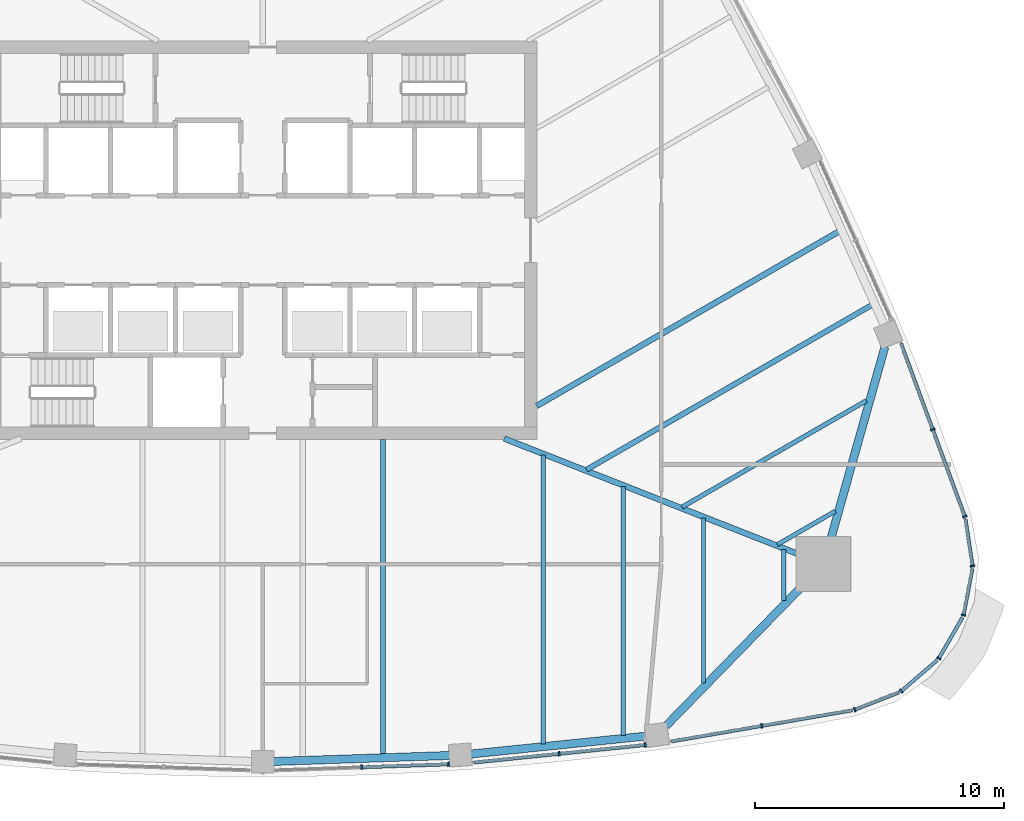
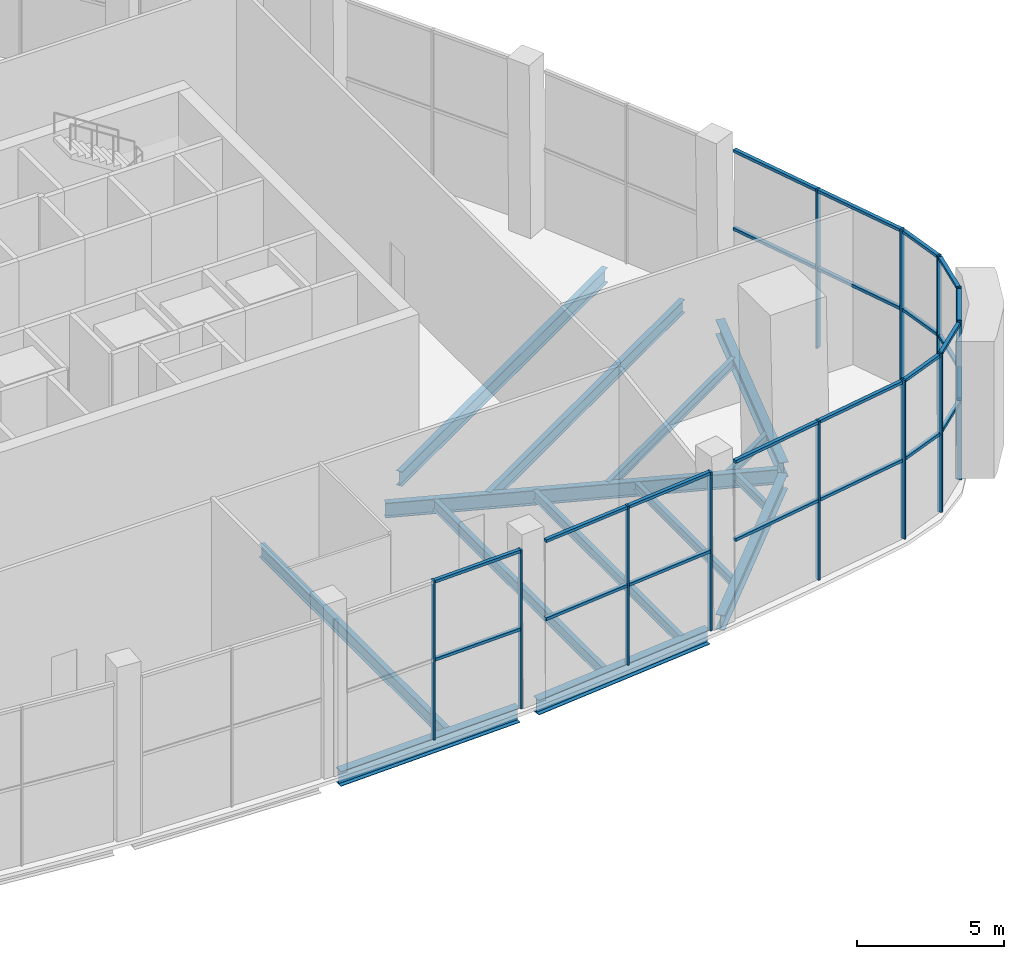
# One storey, part 4 of 15: 36 members, 14 beams, 9 elements without a shape of their own.
"""IFC4 building model written with IfcOpenShell, lengths in metres."""

from ifc_helpers import new_model, si_unit, direction, frame, origin, origin_2d, place, context, subcontext, project, spatial, rectangle, i_section, extrude, material, layer, layer_set, material_profile, profile_set, type_object, element, aggregate, save


model = new_model("IFC4")

# Units and contexts
model_context = context("Model", 3, precision=1e-05, world=origin(), true_north=direction((0.0, 1.0)))
body_context = subcontext(model_context, "Body", "Model", "MODEL_VIEW")
ifc_project = project(units=[si_unit("LENGTHUNIT", "METRE"), si_unit("AREAUNIT", "SQUARE_METRE"), si_unit("VOLUMEUNIT", "CUBIC_METRE"), si_unit("PLANEANGLEUNIT", "RADIAN"), si_unit("MASSUNIT", "GRAM", prefix="KILO")], contexts=[model_context])

# Site, building, storey
site_placement = place(None, origin())
site = spatial("IfcSite", under=ifc_project, at=site_placement, CompositionType="ELEMENT")
building_placement = place(site_placement, origin())
building = spatial("IfcBuilding", under=site, at=building_placement, Name="Sierra Prisma Convention Tower", CompositionType="ELEMENT")
storey_placement = place(building_placement, frame((0.0, 0.0, 219.800048828125)))
storey = spatial("IfcBuildingStorey", under=building, at=storey_placement, Name="L49", CompositionType="ELEMENT", Elevation=219.800048828125)

# Curtain wall, members
ifc_material_1 = material(Name="Aluminium and glass curtain wall", Category="aluminium")
ifc_layer = layer(ifc_material_1, 0.179931640625)
ifc_layer_set = layer_set([ifc_layer], Name="CW-4 Sky lobby double-height curtain wall")
curtain_wall_type = type_object("IfcCurtainWallType", Name="CW-4 Sky lobby double-height curtain wall", PredefinedType="NOTDEFINED", material=ifc_layer_set)
curtain_wall_1_placement = place(storey_placement, origin())
curtain_wall_1 = element("IfcCurtainWall", 1, at=curtain_wall_1_placement, inside=storey, type_object=curtain_wall_type, Name="CW-4 S4 L49", PredefinedType="NOTDEFINED")
ifc_material_2 = material(Name="Aluminium 6063-T6 bronze anodised", Category="aluminium")
ifc_material_profile_1 = material_profile(ifc_material_2, rectangle(XDim=0.179931640625, YDim=0.070068359375, at=origin_2d()), Name="ALU MULLION 70x180")
ifc_profile_set_1 = profile_set([ifc_material_profile_1], Name="Aluminium 6063-T6 bronze anodised")
member_type_1 = type_object("IfcMemberType", Name="CW mullion bronze", PredefinedType="MULLION", material=ifc_profile_set_1)
member_1_placement = place(storey_placement, frame((3.972900390625, -21.149169921875, 0.0), z_axis=(0.0, 0.0, 1.0), x_axis=(-0.03401680299, 0.999421261088, 0.0)))
member_1 = element("IfcMember", 2, at=member_1_placement, type_object=member_type_1, Name="CW-4 mullion S4.2", PredefinedType="MULLION", context=body_context, shape_type="SweptSolid", body=[
    extrude(rectangle(XDim=0.179931640625, YDim=0.070068359375, at=origin_2d()), origin(), (0.0, 0.0, 1.0), 6.599853515625),
])
member_2_placement = place(storey_placement, frame((7.461181640625, -21.0302734375, 0.0), z_axis=(0.0, 0.0, 1.0), x_axis=(-0.03401680299, 0.999421261088, 0.0)))
member_2 = element("IfcMember", 3, at=member_2_placement, type_object=member_type_1, Name="CW-4 mullion S4.3", PredefinedType="MULLION", context=body_context, shape_type="SweptSolid", body=[
    extrude(rectangle(XDim=0.179931640625, YDim=0.070068359375, at=origin_2d()), origin(), (0.0, 0.0, 1.0), 6.599853515625),
])

curtain_wall_2_placement = place(storey_placement, origin())
curtain_wall_2 = element("IfcCurtainWall", 4, at=curtain_wall_2_placement, inside=storey, type_object=curtain_wall_type, Name="CW-4 S5 L49", PredefinedType="NOTDEFINED")
member_3_placement = place(storey_placement, frame((11.89697265625, -20.60986328125, 0.0), z_axis=(0.0, 0.0, 1.0), x_axis=(-0.101892959781, 0.994795368278, 0.0)))
member_3 = element("IfcMember", 5, at=member_3_placement, type_object=member_type_1, Name="CW-4 mullion S5.2", PredefinedType="MULLION", context=body_context, shape_type="SweptSolid", body=[
    extrude(rectangle(XDim=0.179931640625, YDim=0.070068359375, at=origin_2d()), origin(), (0.0, 0.0, 1.0), 6.599853515625),
])
member_4_placement = place(storey_placement, frame((15.353271484375, -20.255859375, 0.0), z_axis=(0.0, 0.0, 1.0), x_axis=(-0.101892959781, 0.994795368278, 0.0)))
member_4 = element("IfcMember", 6, at=member_4_placement, type_object=member_type_1, Name="CW-4 mullion S5.3", PredefinedType="MULLION", context=body_context, shape_type="SweptSolid", body=[
    extrude(rectangle(XDim=0.179931640625, YDim=0.070068359375, at=origin_2d()), origin(), (0.0, 0.0, 1.0), 6.599853515625),
])

# Curtain wall, member
curtain_wall_3_placement = place(storey_placement, origin())
curtain_wall_3 = element("IfcCurtainWall", 7, at=curtain_wall_3_placement, inside=storey, type_object=curtain_wall_type, Name="CW-4 S6 L49", PredefinedType="NOTDEFINED")
member_5_placement = place(storey_placement, frame((20.025634765625, -19.489990234375, 0.0), z_axis=(0.0, 0.0, 1.0), x_axis=(-0.169297497717, 0.985564993933, 0.0)))
member_5 = element("IfcMember", 8, at=member_5_placement, type_object=member_type_1, Name="CW-4 mullion S6.2", PredefinedType="MULLION", context=body_context, shape_type="SweptSolid", body=[
    extrude(rectangle(XDim=0.179931640625, YDim=0.070068359375, at=origin_2d()), origin(), (0.0, 0.0, 1.0), 6.599853515625),
])

curtain_wall_4_placement = place(storey_placement, origin())
curtain_wall_4 = element("IfcCurtainWall", 9, at=curtain_wall_4_placement, inside=storey, type_object=curtain_wall_type, Name="CW-4 SE1 L49", PredefinedType="NOTDEFINED")
member_6_placement = place(storey_placement, frame((23.760498046875, -18.84130859375, 0.0), z_axis=(0.0, 0.0, 1.0), x_axis=(-0.364179517701, 0.931328770568, 0.0)))
member_6 = element("IfcMember", 10, at=member_6_placement, type_object=member_type_1, Name="CW-4 mullion SE1.1", PredefinedType="MULLION", context=body_context, shape_type="SweptSolid", body=[
    extrude(rectangle(XDim=0.179931640625, YDim=0.070068359375, at=origin_2d()), origin(), (0.0, 0.0, 1.0), 6.599853515625),
])

curtain_wall_5_placement = place(storey_placement, origin())
curtain_wall_5 = element("IfcCurtainWall", 11, at=curtain_wall_5_placement, inside=storey, type_object=curtain_wall_type, Name="CW-4 SE2 L49", PredefinedType="NOTDEFINED")
member_7_placement = place(storey_placement, frame((25.623046875, -18.100341796875, 0.0), z_axis=(0.0, 0.0, 1.0), x_axis=(-0.651814516792, 0.758378425128, 0.0)))
member_7 = element("IfcMember", 12, at=member_7_placement, type_object=member_type_1, Name="CW-4 mullion SE2.1", PredefinedType="MULLION", context=body_context, shape_type="SweptSolid", body=[
    extrude(rectangle(XDim=0.179931640625, YDim=0.070068359375, at=origin_2d()), origin(), (0.0, 0.0, 1.0), 6.599853515625),
])

curtain_wall_6_placement = place(storey_placement, origin())
curtain_wall_6 = element("IfcCurtainWall", 13, at=curtain_wall_6_placement, inside=storey, type_object=curtain_wall_type, Name="CW-4 SE3 L49", PredefinedType="NOTDEFINED")
member_8_placement = place(storey_placement, frame((27.1357421875, -16.784912109375, 0.0), z_axis=(0.0, 0.0, 1.0), x_axis=(-0.866025403784, 0.5, 0.0)))
member_8 = element("IfcMember", 14, at=member_8_placement, type_object=member_type_1, Name="CW-4 mullion SE3.1", PredefinedType="MULLION", context=body_context, shape_type="SweptSolid", body=[
    extrude(rectangle(XDim=0.179931640625, YDim=0.070068359375, at=origin_2d()), origin(), (0.0, 0.0, 1.0), 6.599853515625),
])

curtain_wall_7_placement = place(storey_placement, origin())
curtain_wall_7 = element("IfcCurtainWall", 15, at=curtain_wall_7_placement, inside=storey, type_object=curtain_wall_type, Name="CW-4 SE4 L49", PredefinedType="NOTDEFINED")
member_9_placement = place(storey_placement, frame((28.128173828125, -15.043212890625, 0.0), z_axis=(0.0, 0.0, 1.0), x_axis=(-0.982682240239, 0.185298717533, 0.0)))
member_9 = element("IfcMember", 16, at=member_9_placement, type_object=member_type_1, Name="CW-4 mullion SE4.1", PredefinedType="MULLION", context=body_context, shape_type="SweptSolid", body=[
    extrude(rectangle(XDim=0.179931640625, YDim=0.070068359375, at=origin_2d()), origin(), (0.0, 0.0, 1.0), 6.599853515625),
])

curtain_wall_8_placement = place(storey_placement, origin())
curtain_wall_8 = element("IfcCurtainWall", 17, at=curtain_wall_8_placement, inside=storey, type_object=curtain_wall_type, Name="CW-4 SE5 L49", PredefinedType="NOTDEFINED")
member_10_placement = place(storey_placement, frame((28.48828125, -13.071044921875, 0.0), z_axis=(0.0, 0.0, 1.0), x_axis=(-0.988644133437, -0.150275671417, 0.0)))
member_10 = element("IfcMember", 18, at=member_10_placement, type_object=member_type_1, Name="CW-4 mullion SE5.1", PredefinedType="MULLION", context=body_context, shape_type="SweptSolid", body=[
    extrude(rectangle(XDim=0.179931640625, YDim=0.070068359375, at=origin_2d()), origin(), (0.0, 0.0, 1.0), 6.599853515625),
])

# Curtain wall, members
curtain_wall_9_placement = place(storey_placement, origin())
curtain_wall_9 = element("IfcCurtainWall", 19, at=curtain_wall_9_placement, inside=storey, type_object=curtain_wall_type, Name="CW-4 NE1 L49", PredefinedType="NOTDEFINED")
member_11_placement = place(storey_placement, frame((28.1796875, -11.089111328125, 0.0), z_axis=(0.0, 0.0, 1.0), x_axis=(-0.938173070685, -0.346166563147, 0.0)))
member_11 = element("IfcMember", 20, at=member_11_placement, type_object=member_type_1, Name="CW-4 mullion NE1.1", PredefinedType="MULLION", context=body_context, shape_type="SweptSolid", body=[
    extrude(rectangle(XDim=0.179931640625, YDim=0.070068359375, at=origin_2d()), origin(), (0.0, 0.0, 1.0), 6.599853515625),
])
member_12_placement = place(storey_placement, frame((26.8916015625, -7.59765625, 0.0), z_axis=(0.0, 0.0, 1.0), x_axis=(-0.938173070685, -0.346166563147, 0.0)))
member_12 = element("IfcMember", 21, at=member_12_placement, type_object=member_type_1, Name="CW-4 mullion NE1.2", PredefinedType="MULLION", context=body_context, shape_type="SweptSolid", body=[
    extrude(rectangle(XDim=0.179931640625, YDim=0.070068359375, at=origin_2d()), origin(), (0.0, 0.0, 1.0), 6.599853515625),
])

# Member
ifc_material_3 = material(Name="Aluminium 6063-T6 bronze anodised", Category="aluminium")
ifc_material_profile_2 = material_profile(ifc_material_3, rectangle(XDim=0.139892578125, YDim=0.1201171875, at=origin_2d()), Name="ALU TRANSOM 120x140")
ifc_profile_set_2 = profile_set([ifc_material_profile_2], Name="Aluminium 6063-T6 bronze anodised")
member_type_2 = type_object("IfcMemberType", Name="CW transom bronze", PredefinedType="USERDEFINED", material=ifc_profile_set_2)
member_13_placement = place(storey_placement, frame((4.008056640625, -21.14794921875, 6.5400390625), z_axis=(0.999420156505, 0.034049240387, 0.0), x_axis=(-0.034049240387, 0.999420156505, 0.0)))
member_13 = element("IfcMember", 22, at=member_13_placement, type_object=member_type_2, Name="CW-4 transom S4.2", ObjectType="TRANSOM", PredefinedType="USERDEFINED", context=body_context, shape_type="SweptSolid", body=[
    extrude(rectangle(XDim=0.139892578125, YDim=0.1201171875, at=origin_2d()), origin(), (0.0, 0.0, 1.0), 3.420166015625),
])

member_14_placement = place(storey_placement, frame((4.008056640625, -21.14794921875, 3.300048828125), z_axis=(0.999420156505, 0.034049240387, 0.0), x_axis=(-0.034049240387, 0.999420156505, 0.0)))
member_14 = element("IfcMember", 23, at=member_14_placement, type_object=member_type_2, Name="CW-4 transom S4.2 mid", ObjectType="TRANSOM", PredefinedType="USERDEFINED", context=body_context, shape_type="SweptSolid", body=[
    extrude(rectangle(XDim=0.139892578125, YDim=0.1201171875, at=origin_2d()), origin(), (0.0, 0.0, 1.0), 3.420166015625),
])

aggregate(curtain_wall_1, [member_1, member_2, member_13, member_14])

member_15_placement = place(storey_placement, frame((8.4755859375, -20.96044921875, 6.5400390625), z_axis=(0.994794308124, 0.101903309677, 0.0), x_axis=(-0.101903309677, 0.994794308124, 0.0)))
member_15 = element("IfcMember", 24, at=member_15_placement, type_object=member_type_2, Name="CW-4 transom S5.1", ObjectType="TRANSOM", PredefinedType="USERDEFINED", context=body_context, shape_type="SweptSolid", body=[
    extrude(rectangle(XDim=0.139892578125, YDim=0.1201171875, at=origin_2d()), origin(), (0.0, 0.0, 1.0), 3.404541015625),
])

member_16_placement = place(storey_placement, frame((8.4755859375, -20.96044921875, 3.300048828125), z_axis=(0.994794308124, 0.101903309677, 0.0), x_axis=(-0.101903309677, 0.994794308124, 0.0)))
member_16 = element("IfcMember", 25, at=member_16_placement, type_object=member_type_2, Name="CW-4 transom S5.1 mid", ObjectType="TRANSOM", PredefinedType="USERDEFINED", context=body_context, shape_type="SweptSolid", body=[
    extrude(rectangle(XDim=0.139892578125, YDim=0.1201171875, at=origin_2d()), origin(), (0.0, 0.0, 1.0), 3.404541015625),
])

member_17_placement = place(storey_placement, frame((11.931884765625, -20.6064453125, 6.5400390625), z_axis=(0.994794308124, 0.101903309677, 0.0), x_axis=(-0.101903309677, 0.994794308124, 0.0)))
member_17 = element("IfcMember", 26, at=member_17_placement, type_object=member_type_2, Name="CW-4 transom S5.2", ObjectType="TRANSOM", PredefinedType="USERDEFINED", context=body_context, shape_type="SweptSolid", body=[
    extrude(rectangle(XDim=0.139892578125, YDim=0.1201171875, at=origin_2d()), origin(), (0.0, 0.0, 1.0), 3.404541015625),
])

member_18_placement = place(storey_placement, frame((11.931884765625, -20.6064453125, 3.300048828125), z_axis=(0.994794308124, 0.101903309677, 0.0), x_axis=(-0.101903309677, 0.994794308124, 0.0)))
member_18 = element("IfcMember", 27, at=member_18_placement, type_object=member_type_2, Name="CW-4 transom S5.2 mid", ObjectType="TRANSOM", PredefinedType="USERDEFINED", context=body_context, shape_type="SweptSolid", body=[
    extrude(rectangle(XDim=0.139892578125, YDim=0.1201171875, at=origin_2d()), origin(), (0.0, 0.0, 1.0), 3.404541015625),
])

aggregate(curtain_wall_2, [member_3, member_4, member_15, member_16, member_17, member_18])

member_19_placement = place(storey_placement, frame((16.392333984375, -20.114013671875, 6.5400390625), z_axis=(0.98556493226, 0.169297856749, 0.0), x_axis=(-0.169297856749, 0.98556493226, 0.0)))
member_19 = element("IfcMember", 28, at=member_19_placement, type_object=member_type_2, Name="CW-4 transom S6.1", ObjectType="TRANSOM", PredefinedType="USERDEFINED", context=body_context, shape_type="SweptSolid", body=[
    extrude(rectangle(XDim=0.139892578125, YDim=0.1201171875, at=origin_2d()), origin(), (0.0, 0.0, 1.0), 3.6513671875),
])

member_20_placement = place(storey_placement, frame((16.392333984375, -20.114013671875, 3.300048828125), z_axis=(0.98556493226, 0.169297856749, 0.0), x_axis=(-0.169297856749, 0.98556493226, 0.0)))
member_20 = element("IfcMember", 29, at=member_20_placement, type_object=member_type_2, Name="CW-4 transom S6.1 mid", ObjectType="TRANSOM", PredefinedType="USERDEFINED", context=body_context, shape_type="SweptSolid", body=[
    extrude(rectangle(XDim=0.139892578125, YDim=0.1201171875, at=origin_2d()), origin(), (0.0, 0.0, 1.0), 3.6513671875),
])

member_21_placement = place(storey_placement, frame((20.06005859375, -19.48388671875, 6.5400390625), z_axis=(0.98556684849, 0.169286701064, 0.0), x_axis=(-0.169286701064, 0.98556684849, 0.0)))
member_21 = element("IfcMember", 30, at=member_21_placement, type_object=member_type_2, Name="CW-4 transom S6.2", ObjectType="TRANSOM", PredefinedType="USERDEFINED", context=body_context, shape_type="SweptSolid", body=[
    extrude(rectangle(XDim=0.139892578125, YDim=0.1201171875, at=origin_2d()), origin(), (0.0, 0.0, 1.0), 3.651611328125),
])

member_22_placement = place(storey_placement, frame((20.06005859375, -19.48388671875, 3.300048828125), z_axis=(0.98556684849, 0.169286701064, 0.0), x_axis=(-0.169286701064, 0.98556684849, 0.0)))
member_22 = element("IfcMember", 31, at=member_22_placement, type_object=member_type_2, Name="CW-4 transom S6.2 mid", ObjectType="TRANSOM", PredefinedType="USERDEFINED", context=body_context, shape_type="SweptSolid", body=[
    extrude(rectangle(XDim=0.139892578125, YDim=0.1201171875, at=origin_2d()), origin(), (0.0, 0.0, 1.0), 3.651611328125),
])

aggregate(curtain_wall_3, [member_5, member_19, member_20, member_21, member_22])

member_23_placement = place(storey_placement, frame((23.79296875, -18.828369140625, 6.5400390625), z_axis=(0.931352729191, 0.364118241549, 0.0), x_axis=(-0.364118241549, 0.931352729191, 0.0)))
member_23 = element("IfcMember", 32, at=member_23_placement, type_object=member_type_2, Name="CW-4 transom SE1.1", ObjectType="TRANSOM", PredefinedType="USERDEFINED", context=body_context, shape_type="SweptSolid", body=[
    extrude(rectangle(XDim=0.139892578125, YDim=0.1201171875, at=origin_2d()), origin(), (0.0, 0.0, 1.0), 1.86669921875),
])

member_24_placement = place(storey_placement, frame((23.79296875, -18.828369140625, 3.300048828125), z_axis=(0.931352729191, 0.364118241549, 0.0), x_axis=(-0.364118241549, 0.931352729191, 0.0)))
member_24 = element("IfcMember", 33, at=member_24_placement, type_object=member_type_2, Name="CW-4 transom SE1.1 mid", ObjectType="TRANSOM", PredefinedType="USERDEFINED", context=body_context, shape_type="SweptSolid", body=[
    extrude(rectangle(XDim=0.139892578125, YDim=0.1201171875, at=origin_2d()), origin(), (0.0, 0.0, 1.0), 1.86669921875),
])

aggregate(curtain_wall_4, [member_6, member_23, member_24])

member_25_placement = place(storey_placement, frame((25.649658203125, -18.07763671875, 6.5400390625), z_axis=(0.75833259999, 0.651867830002, 0.0), x_axis=(-0.651867830002, 0.75833259999, 0.0)))
member_25 = element("IfcMember", 34, at=member_25_placement, type_object=member_type_2, Name="CW-4 transom SE2.1", ObjectType="TRANSOM", PredefinedType="USERDEFINED", context=body_context, shape_type="SweptSolid", body=[
    extrude(rectangle(XDim=0.139892578125, YDim=0.1201171875, at=origin_2d()), origin(), (0.0, 0.0, 1.0), 1.86669921875),
])

member_26_placement = place(storey_placement, frame((25.649658203125, -18.07763671875, 3.300048828125), z_axis=(0.75833259999, 0.651867830002, 0.0), x_axis=(-0.651867830002, 0.75833259999, 0.0)))
member_26 = element("IfcMember", 35, at=member_26_placement, type_object=member_type_2, Name="CW-4 transom SE2.1 mid", ObjectType="TRANSOM", PredefinedType="USERDEFINED", context=body_context, shape_type="SweptSolid", body=[
    extrude(rectangle(XDim=0.139892578125, YDim=0.1201171875, at=origin_2d()), origin(), (0.0, 0.0, 1.0), 1.86669921875),
])

aggregate(curtain_wall_5, [member_7, member_25, member_26])

member_27_placement = place(storey_placement, frame((27.1533203125, -16.754638671875, 6.5400390625), z_axis=(0.500035694089, 0.866004794812, 0.0), x_axis=(-0.866004794812, 0.500035694089, 0.0)))
member_27 = element("IfcMember", 36, at=member_27_placement, type_object=member_type_2, Name="CW-4 transom SE3.1", ObjectType="TRANSOM", PredefinedType="USERDEFINED", context=body_context, shape_type="SweptSolid", body=[
    extrude(rectangle(XDim=0.139892578125, YDim=0.1201171875, at=origin_2d()), origin(), (0.0, 0.0, 1.0), 1.866455078125),
])

member_28_placement = place(storey_placement, frame((27.1533203125, -16.754638671875, 3.300048828125), z_axis=(0.500035694089, 0.866004794812, 0.0), x_axis=(-0.866004794812, 0.500035694089, 0.0)))
member_28 = element("IfcMember", 37, at=member_28_placement, type_object=member_type_2, Name="CW-4 transom SE3.1 mid", ObjectType="TRANSOM", PredefinedType="USERDEFINED", context=body_context, shape_type="SweptSolid", body=[
    extrude(rectangle(XDim=0.139892578125, YDim=0.1201171875, at=origin_2d()), origin(), (0.0, 0.0, 1.0), 1.866455078125),
])

aggregate(curtain_wall_6, [member_8, member_27, member_28])

member_29_placement = place(storey_placement, frame((28.134521484375, -15.0087890625, 6.5400390625), z_axis=(0.185338751025, 0.98267469051, 0.0), x_axis=(-0.98267469051, 0.185338751025, 0.0)))
member_29 = element("IfcMember", 38, at=member_29_placement, type_object=member_type_2, Name="CW-4 transom SE4.1", ObjectType="TRANSOM", PredefinedType="USERDEFINED", context=body_context, shape_type="SweptSolid", body=[
    extrude(rectangle(XDim=0.139892578125, YDim=0.1201171875, at=origin_2d()), origin(), (0.0, 0.0, 1.0), 1.866455078125),
])

member_30_placement = place(storey_placement, frame((28.134521484375, -15.0087890625, 3.300048828125), z_axis=(0.185338751025, 0.98267469051, 0.0), x_axis=(-0.98267469051, 0.185338751025, 0.0)))
member_30 = element("IfcMember", 39, at=member_30_placement, type_object=member_type_2, Name="CW-4 transom SE4.1 mid", ObjectType="TRANSOM", PredefinedType="USERDEFINED", context=body_context, shape_type="SweptSolid", body=[
    extrude(rectangle(XDim=0.139892578125, YDim=0.1201171875, at=origin_2d()), origin(), (0.0, 0.0, 1.0), 1.866455078125),
])

aggregate(curtain_wall_7, [member_9, member_29, member_30])

member_31_placement = place(storey_placement, frame((28.48291015625, -13.03662109375, 6.5400390625), z_axis=(-0.150278038873, 0.988643773577, 0.0), x_axis=(-0.988643773577, -0.150278038873, 0.0)))
member_31 = element("IfcMember", 40, at=member_31_placement, type_object=member_type_2, Name="CW-4 transom SE5.1", ObjectType="TRANSOM", PredefinedType="USERDEFINED", context=body_context, shape_type="SweptSolid", body=[
    extrude(rectangle(XDim=0.139892578125, YDim=0.1201171875, at=origin_2d()), origin(), (0.0, 0.0, 1.0), 1.86669921875),
])

member_32_placement = place(storey_placement, frame((28.48291015625, -13.03662109375, 3.300048828125), z_axis=(-0.150278038873, 0.988643773577, 0.0), x_axis=(-0.988643773577, -0.150278038873, 0.0)))
member_32 = element("IfcMember", 41, at=member_32_placement, type_object=member_type_2, Name="CW-4 transom SE5.1 mid", ObjectType="TRANSOM", PredefinedType="USERDEFINED", context=body_context, shape_type="SweptSolid", body=[
    extrude(rectangle(XDim=0.139892578125, YDim=0.1201171875, at=origin_2d()), origin(), (0.0, 0.0, 1.0), 1.86669921875),
])

aggregate(curtain_wall_8, [member_10, member_31, member_32])

member_33_placement = place(storey_placement, frame((28.167724609375, -11.05615234375, 6.5400390625), z_axis=(-0.34621656477, 0.938154619601, 0.0), x_axis=(-0.938154619601, -0.34621656477, 0.0)))
member_33 = element("IfcMember", 42, at=member_33_placement, type_object=member_type_2, Name="CW-4 transom NE1.1", ObjectType="TRANSOM", PredefinedType="USERDEFINED", context=body_context, shape_type="SweptSolid", body=[
    extrude(rectangle(XDim=0.139892578125, YDim=0.1201171875, at=origin_2d()), origin(), (0.0, 0.0, 1.0), 3.6513671875),
])

member_34_placement = place(storey_placement, frame((28.167724609375, -11.05615234375, 3.300048828125), z_axis=(-0.34621656477, 0.938154619601, 0.0), x_axis=(-0.938154619601, -0.34621656477, 0.0)))
member_34 = element("IfcMember", 43, at=member_34_placement, type_object=member_type_2, Name="CW-4 transom NE1.1 mid", ObjectType="TRANSOM", PredefinedType="USERDEFINED", context=body_context, shape_type="SweptSolid", body=[
    extrude(rectangle(XDim=0.139892578125, YDim=0.1201171875, at=origin_2d()), origin(), (0.0, 0.0, 1.0), 3.6513671875),
])

member_35_placement = place(storey_placement, frame((26.87939453125, -7.56494140625, 6.5400390625), z_axis=(-0.346136000874, 0.93818434697, 0.0), x_axis=(-0.93818434697, -0.346136000874, 0.0)))
member_35 = element("IfcMember", 44, at=member_35_placement, type_object=member_type_2, Name="CW-4 transom NE1.2", ObjectType="TRANSOM", PredefinedType="USERDEFINED", context=body_context, shape_type="SweptSolid", body=[
    extrude(rectangle(XDim=0.139892578125, YDim=0.1201171875, at=origin_2d()), origin(), (0.0, 0.0, 1.0), 3.651611328125),
])

member_36_placement = place(storey_placement, frame((26.87939453125, -7.56494140625, 3.300048828125), z_axis=(-0.346136000874, 0.93818434697, 0.0), x_axis=(-0.93818434697, -0.346136000874, 0.0)))
member_36 = element("IfcMember", 45, at=member_36_placement, type_object=member_type_2, Name="CW-4 transom NE1.2 mid", ObjectType="TRANSOM", PredefinedType="USERDEFINED", context=body_context, shape_type="SweptSolid", body=[
    extrude(rectangle(XDim=0.139892578125, YDim=0.1201171875, at=origin_2d()), origin(), (0.0, 0.0, 1.0), 3.651611328125),
])

aggregate(curtain_wall_9, [member_11, member_12, member_33, member_34, member_35, member_36])

# Beams
ifc_material_4 = material(Name="Steel ASTM A992 Gr 50", Category="steel")
ifc_material_profile_3 = material_profile(ifc_material_4, i_section(OverallWidth=0.172119140625, OverallDepth=0.35791015625, WebThickness=0.0078125, FlangeThickness=0.01318359375, at=origin_2d()), Name="W360x57")
ifc_profile_set_3 = profile_set([ifc_material_profile_3], Name="Steel ASTM A992 Gr 50")
beam_type_1 = type_object("IfcBeamType", Name="Floor joist W360x57", PredefinedType="JOIST", material=ifc_profile_set_3)
beam_1_placement = place(storey_placement, frame((17.69091796875, -17.765869140625, -0.3291015625), z_axis=(0.0, 1.0, 0.0), x_axis=(-1.0, 0.0, 0.0)))
element("IfcBeam", 46, at=beam_1_placement, inside=storey, type_object=beam_type_1, Name="Floor joist L49 S13", PredefinedType="JOIST", context=body_context, shape_type="SweptSolid", body=[
    extrude(i_section(OverallWidth=0.172119140625, OverallDepth=0.35791015625, WebThickness=0.0078125, FlangeThickness=0.01318359375, at=origin_2d()), origin(), (0.0, 0.0, 1.0), 6.614013671875),
])
beam_2_placement = place(storey_placement, frame((20.907470703125, -14.466552734375, -0.3291015625), z_axis=(0.0, 1.0, 0.0), x_axis=(-1.0, 0.0, 0.0)))
element("IfcBeam", 47, at=beam_2_placement, inside=storey, type_object=beam_type_1, Name="Floor joist L49 S14", PredefinedType="JOIST", context=body_context, shape_type="SweptSolid", body=[
    extrude(i_section(OverallWidth=0.172119140625, OverallDepth=0.35791015625, WebThickness=0.0078125, FlangeThickness=0.01318359375, at=origin_2d()), origin(), (0.0, 0.0, 1.0), 2.050048828125),
])
beam_3_placement = place(storey_placement, frame((22.982177734375, -10.873291015625, -0.3291015625), z_axis=(-0.866038935671, -0.499976561352, 0.0), x_axis=(0.499976561352, -0.866038935671, 0.0)))
element("IfcBeam", 48, at=beam_3_placement, inside=storey, type_object=beam_type_1, Name="Floor joist L49 NE01", PredefinedType="JOIST", context=body_context, shape_type="SweptSolid", body=[
    extrude(i_section(OverallWidth=0.172119140625, OverallDepth=0.35791015625, WebThickness=0.0078125, FlangeThickness=0.01318359375, at=origin_2d()), origin(), (0.0, 0.0, 1.0), 2.689208984375),
])
ifc_material_5 = material(Name="Steel ASTM A992 Gr 50", Category="steel")
ifc_material_profile_4 = material_profile(ifc_material_5, i_section(OverallWidth=0.177978515625, OverallDepth=0.406982421875, WebThickness=0.0078125, FlangeThickness=0.0126953125, at=origin_2d()), Name="W410x60")
ifc_profile_set_4 = profile_set([ifc_material_profile_4], Name="Steel ASTM A992 Gr 50")
beam_type_2 = type_object("IfcBeamType", Name="Floor joist W410x60", PredefinedType="JOIST", material=ifc_profile_set_4)
beam_4_placement = place(storey_placement, frame((14.474365234375, -19.881103515625, -0.353515625), z_axis=(0.0, 1.0, 0.0), x_axis=(-1.0, 0.0, 0.0)))
element("IfcBeam", 49, at=beam_4_placement, inside=storey, type_object=beam_type_2, Name="Floor joist L49 S12", PredefinedType="JOIST", context=body_context, shape_type="SweptSolid", body=[
    extrude(i_section(OverallWidth=0.177978515625, OverallDepth=0.406982421875, WebThickness=0.0078125, FlangeThickness=0.0126953125, at=origin_2d()), origin(), (0.0, 0.0, 1.0), 9.993896484375),
])
beam_5_placement = place(storey_placement, frame((24.231201171875, -6.43798828125, -0.353515625), z_axis=(-0.866025820012, -0.499999279071, 0.0), x_axis=(0.499999279071, -0.866025820012, 0.0)))
element("IfcBeam", 50, at=beam_5_placement, inside=storey, type_object=beam_type_2, Name="Floor joist L49 NE02", PredefinedType="JOIST", context=body_context, shape_type="SweptSolid", body=[
    extrude(i_section(OverallWidth=0.177978515625, OverallDepth=0.406982421875, WebThickness=0.0078125, FlangeThickness=0.0126953125, at=origin_2d()), origin(), (0.0, 0.0, 1.0), 8.55029296875),
])
ifc_material_6 = material(Name="Steel ASTM A992 Gr 50", Category="steel")
ifc_material_profile_5 = material_profile(ifc_material_6, i_section(OverallWidth=0.18994140625, OverallDepth=0.45703125, WebThickness=0.009033203125, FlangeThickness=0.014404296875, at=origin_2d()), Name="W460x74")
ifc_profile_set_5 = profile_set([ifc_material_profile_5], Name="Steel ASTM A992 Gr 50")
beam_type_3 = type_object("IfcBeamType", Name="Floor joist W460x74", PredefinedType="JOIST", material=ifc_profile_set_5)
beam_6_placement = place(storey_placement, frame((11.2578125, -20.21044921875, -0.378662109375), z_axis=(0.0, 1.0, 0.0), x_axis=(-1.0, 0.0, 0.0)))
element("IfcBeam", 51, at=beam_6_placement, inside=storey, type_object=beam_type_3, Name="Floor joist L49 S11", PredefinedType="JOIST", context=body_context, shape_type="SweptSolid", body=[
    extrude(i_section(OverallWidth=0.18994140625, OverallDepth=0.45703125, WebThickness=0.009033203125, FlangeThickness=0.014404296875, at=origin_2d()), origin(), (0.0, 0.0, 1.0), 11.587890625),
])
ifc_material_7 = material(Name="Steel ASTM A992 Gr 50", Category="steel")
ifc_material_profile_6 = material_profile(ifc_material_7, i_section(OverallWidth=0.208984375, OverallDepth=0.532958984375, WebThickness=0.01025390625, FlangeThickness=0.015625, at=origin_2d()), Name="W530x92")
ifc_profile_set_6 = profile_set([ifc_material_profile_6], Name="Steel ASTM A992 Gr 50")
beam_type_4 = type_object("IfcBeamType", Name="Floor joist W530x92", PredefinedType="JOIST", material=ifc_profile_set_6)
beam_7_placement = place(storey_placement, frame((4.82470703125, -20.657470703125, -0.41650390625), z_axis=(0.0, 1.0, 0.0), x_axis=(-1.0, 0.0, 0.0)))
element("IfcBeam", 52, at=beam_7_placement, inside=storey, type_object=beam_type_4, Name="Floor joist L49 S09", PredefinedType="JOIST", context=body_context, shape_type="SweptSolid", body=[
    extrude(i_section(OverallWidth=0.208984375, OverallDepth=0.532958984375, WebThickness=0.01025390625, FlangeThickness=0.015625, at=origin_2d()), origin(), (0.0, 0.0, 1.0), 12.657470703125),
])
beam_8_placement = place(storey_placement, frame((24.45458984375, -2.5947265625, -0.41650390625), z_axis=(-0.86602422079, -0.500002049001, 0.0), x_axis=(0.500002049001, -0.86602422079, 0.0)))
element("IfcBeam", 53, at=beam_8_placement, inside=storey, type_object=beam_type_4, Name="Floor joist L49 NE03", PredefinedType="JOIST", context=body_context, shape_type="SweptSolid", body=[
    extrude(i_section(OverallWidth=0.208984375, OverallDepth=0.532958984375, WebThickness=0.01025390625, FlangeThickness=0.015625, at=origin_2d()), origin(), (0.0, 0.0, 1.0), 13.2275390625),
])
ifc_material_8 = material(Name="Steel ASTM A992 Gr 50", Category="steel")
ifc_material_profile_7 = material_profile(ifc_material_8, i_section(OverallWidth=0.22802734375, OverallDepth=0.60302734375, WebThickness=0.010498046875, FlangeThickness=0.014892578125, at=origin_2d()), Name="W610x101")
ifc_profile_set_7 = profile_set([ifc_material_profile_7], Name="Steel ASTM A992 Gr 50")
beam_type_5 = type_object("IfcBeamType", Name="Floor joist W610x101", PredefinedType="JOIST", material=ifc_profile_set_7)
beam_9_placement = place(storey_placement, frame((23.131591796875, 0.35546875, -0.45166015625), z_axis=(-0.866026250715, -0.49999853307, 0.0), x_axis=(0.49999853307, -0.866026250715, 0.0)))
element("IfcBeam", 54, at=beam_9_placement, inside=storey, type_object=beam_type_5, Name="Floor joist L49 NE04", PredefinedType="JOIST", context=body_context, shape_type="SweptSolid", body=[
    extrude(i_section(OverallWidth=0.22802734375, OverallDepth=0.60302734375, WebThickness=0.010498046875, FlangeThickness=0.014892578125, at=origin_2d()), origin(), (0.0, 0.0, 1.0), 14.00830078125),
])
ifc_material_9 = material(Name="Steel ASTM A992 Gr 50", Category="steel")
ifc_material_profile_8 = material_profile(ifc_material_9, i_section(OverallWidth=0.22998046875, OverallDepth=0.616943359375, WebThickness=0.01318359375, FlangeThickness=0.022216796875, at=origin_2d()), Name="W610x140")
ifc_profile_set_8 = profile_set([ifc_material_profile_8], Name="Steel ASTM A992 Gr 50")
beam_type_6 = type_object("IfcBeamType", Name="Radial girder W610x140", PredefinedType="BEAM", material=ifc_profile_set_8)
beam_10_placement = place(storey_placement, frame((22.255859375, -12.897216796875, -0.45849609375), z_axis=(-0.930653673639, 0.365901270485, 0.0), x_axis=(-0.365901270485, -0.930653673639, 0.0)))
element("IfcBeam", 55, at=beam_10_placement, inside=storey, type_object=beam_type_6, Name="Radial girder L49 SE", PredefinedType="BEAM", context=body_context, shape_type="SweptSolid", body=[
    extrude(i_section(OverallWidth=0.22998046875, OverallDepth=0.616943359375, WebThickness=0.01318359375, FlangeThickness=0.022216796875, at=origin_2d()), origin(), (0.0, 0.0, 1.0), 13.504150390625),
])
ifc_material_10 = material(Name="Steel ASTM A992 Gr 50", Category="steel")
ifc_material_profile_9 = material_profile(ifc_material_10, i_section(OverallWidth=0.324951171875, OverallDepth=0.615966796875, WebThickness=0.013916015625, FlangeThickness=0.021484375, at=origin_2d()), Name="W610x174")
ifc_profile_set_9 = profile_set([ifc_material_profile_9], Name="Steel ASTM A992 Gr 50")
beam_type_7 = type_object("IfcBeamType", Name="Spandrel beam W610x174", PredefinedType="BEAM", material=ifc_profile_set_9)
beam_11_placement = place(storey_placement, frame((0.380126953125, -20.92138671875, -0.4580078125), z_axis=(0.999421488413, 0.034010123474, 0.0), x_axis=(-0.034010123474, 0.999421488413, 0.0)))
element("IfcBeam", 56, at=beam_11_placement, inside=storey, type_object=beam_type_7, Name="Spandrel L49-04", PredefinedType="BEAM", context=body_context, shape_type="SweptSolid", body=[
    extrude(i_section(OverallWidth=0.324951171875, OverallDepth=0.615966796875, WebThickness=0.013916015625, FlangeThickness=0.021484375, at=origin_2d()), origin(), (0.0, 0.0, 1.0), 7.178466796875),
])
beam_12_placement = place(storey_placement, frame((8.312744140625, -20.62548828125, -0.4580078125), z_axis=(0.994795590203, 0.101890793075, 0.0), x_axis=(-0.101890793075, 0.994795590203, 0.0)))
element("IfcBeam", 57, at=beam_12_placement, inside=storey, type_object=beam_type_7, Name="Spandrel L49-05", PredefinedType="BEAM", context=body_context, shape_type="SweptSolid", body=[
    extrude(i_section(OverallWidth=0.324951171875, OverallDepth=0.615966796875, WebThickness=0.013916015625, FlangeThickness=0.021484375, at=origin_2d()), origin(), (0.0, 0.0, 1.0), 7.1787109375),
])
beam_13_placement = place(storey_placement, frame((16.191162109375, -19.4873046875, -0.4580078125), z_axis=(0.698053005961, 0.716046088509, 0.0), x_axis=(-0.716046088509, 0.698053005961, 0.0)))
element("IfcBeam", 58, at=beam_13_placement, inside=storey, type_object=beam_type_7, Name="Spandrel L49-06", PredefinedType="BEAM", context=body_context, shape_type="SweptSolid", body=[
    extrude(i_section(OverallWidth=0.324951171875, OverallDepth=0.615966796875, WebThickness=0.013916015625, FlangeThickness=0.021484375, at=origin_2d()), origin(), (0.0, 0.0, 1.0), 8.697509765625),
])
beam_14_placement = place(storey_placement, frame((22.589111328125, -12.739501953125, -0.4580078125), z_axis=(0.271072915842, 0.962558816019, 0.0), x_axis=(-0.962558816019, 0.271072915842, 0.0)))
element("IfcBeam", 59, at=beam_14_placement, inside=storey, type_object=beam_type_7, Name="Spandrel L49-07", PredefinedType="BEAM", context=body_context, shape_type="SweptSolid", body=[
    extrude(i_section(OverallWidth=0.324951171875, OverallDepth=0.615966796875, WebThickness=0.013916015625, FlangeThickness=0.021484375, at=origin_2d()), origin(), (0.0, 0.0, 1.0), 8.790283203125),
])

save(model, "model.ifc")
